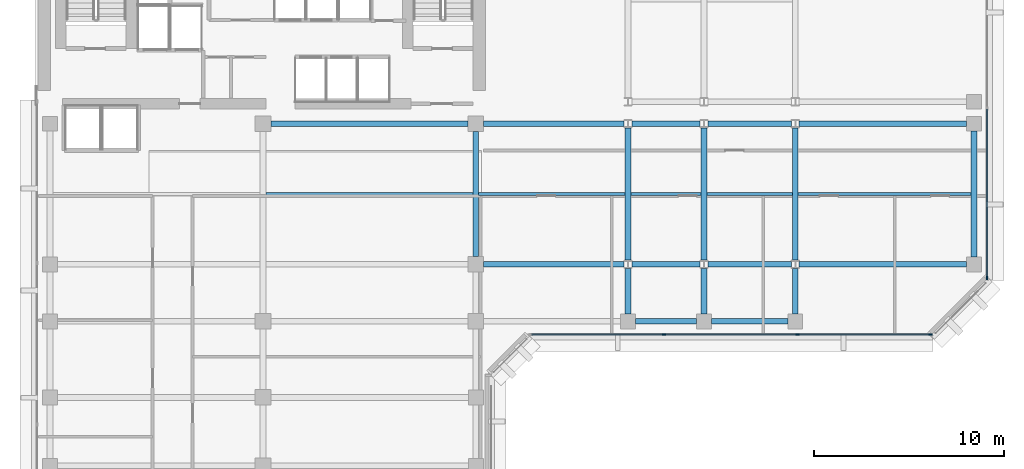
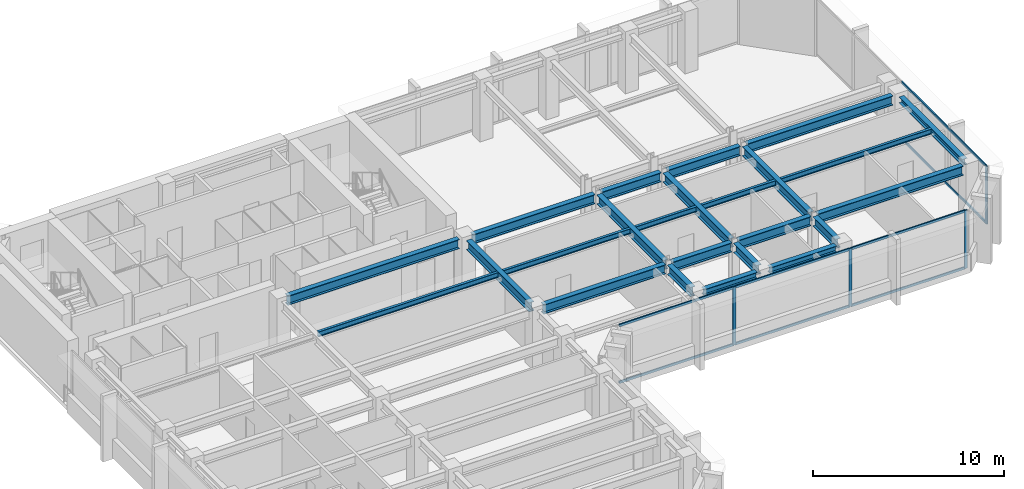
# One storey, part 3 of 11: 24 beams, 12 members, 2 elements without a shape of their own.
"""IFC4 building model written with IfcOpenShell, lengths in metres."""

from ifc_helpers import new_model, si_unit, direction, frame, origin, origin_2d, place, context, subcontext, project, spatial, rectangle, i_section, extrude, material, layer, layer_set, material_profile, profile_set, type_object, element, aggregate, save


model = new_model("IFC4")

# Units and contexts
model_context = context("Model", 3, precision=1e-05, world=origin(), true_north=direction((0.0, 1.0)))
body_context = subcontext(model_context, "Body", "Model", "MODEL_VIEW")
ifc_project = project(units=[si_unit("LENGTHUNIT", "METRE"), si_unit("AREAUNIT", "SQUARE_METRE"), si_unit("VOLUMEUNIT", "CUBIC_METRE"), si_unit("PLANEANGLEUNIT", "RADIAN"), si_unit("MASSUNIT", "GRAM", prefix="KILO")], contexts=[model_context])

# Site, building, storey
site_placement = place(None, origin())
site = spatial("IfcSite", under=ifc_project, at=site_placement, CompositionType="ELEMENT")
building_placement = place(site_placement, origin())
building = spatial("IfcBuilding", under=site, at=building_placement, Name="Kefirva Bronze Tower", CompositionType="ELEMENT")
storey_placement = place(building_placement, frame((0.0, 0.0, 191.39990234375)))
storey = spatial("IfcBuildingStorey", under=building, at=storey_placement, Name="L46", CompositionType="ELEMENT", Elevation=191.39990234375)

# Curtain wall, members
ifc_material_1 = material(Name="Bronze anodised aluminium", Category="aluminium")
ifc_layer = layer(ifc_material_1, 0.179931640625, Name="Bronze anodised aluminium")
ifc_layer_set = layer_set([ifc_layer], Name="Bronze anodised aluminium")
curtain_wall_type = type_object("IfcCurtainWallType", Name="Unitised Bronze Ribbon Curtain Wall Zone 3", PredefinedType="USERDEFINED", material=ifc_layer_set)
curtain_wall_1_placement = place(storey_placement, origin())
curtain_wall_1 = element("IfcCurtainWall", 1, at=curtain_wall_1_placement, inside=storey, type_object=curtain_wall_type, Name="L46 Curtain Wall 1", ObjectType="UNITISED CURTAIN WALL", PredefinedType="USERDEFINED")
ifc_material_profile_1 = material_profile(ifc_material_1, rectangle(XDim=0.074951171875, YDim=0.179931640625, at=origin_2d()), Name="ALU 75x180")
ifc_profile_set_1 = profile_set([ifc_material_profile_1], Name="Bronze anodised aluminium")
member_type_1 = type_object("IfcMemberType", Name="Bronze Mullion 75x180", PredefinedType="MULLION", material=ifc_profile_set_1)
member_1_placement = place(storey_placement, frame((33.0849609375, 22.1201171875, 0.0), z_axis=(0.0, 0.0, 1.0), x_axis=(0.0, 1.0, 0.0)))
member_1 = element("IfcMember", 2, at=member_1_placement, type_object=member_type_1, Name="CW-03 mullion 2", PredefinedType="MULLION", context=body_context, shape_type="SweptSolid", body=[
    extrude(rectangle(XDim=0.074951171875, YDim=0.179931640625, at=origin_2d()), origin(), (0.0, 0.0, 1.0), 3.710205078125),
])
member_2_placement = place(storey_placement, frame((40.114990234375, 22.1201171875, 0.0), z_axis=(0.0, 0.0, 1.0), x_axis=(0.0, 1.0, 0.0)))
member_2 = element("IfcMember", 3, at=member_2_placement, type_object=member_type_1, Name="CW-03 mullion 3", PredefinedType="MULLION", context=body_context, shape_type="SweptSolid", body=[
    extrude(rectangle(XDim=0.074951171875, YDim=0.179931640625, at=origin_2d()), origin(), (0.0, 0.0, 1.0), 3.710205078125),
])
member_3_placement = place(storey_placement, frame((47.107421875, 22.1201171875, 0.0), z_axis=(0.0, 0.0, 1.0), x_axis=(0.0, 1.0, 0.0)))
member_3 = element("IfcMember", 4, at=member_3_placement, type_object=member_type_1, Name="CW-03 mullion 4", PredefinedType="MULLION", context=body_context, shape_type="SweptSolid", body=[
    extrude(rectangle(XDim=0.074951171875, YDim=0.179931640625, at=origin_2d()), origin(), (0.0, 0.0, 1.0), 3.710205078125),
])

# Curtain wall, member
curtain_wall_2_placement = place(storey_placement, origin())
curtain_wall_2 = element("IfcCurtainWall", 5, at=curtain_wall_2_placement, inside=storey, type_object=curtain_wall_type, Name="L46 Curtain Wall 2", ObjectType="UNITISED CURTAIN WALL", PredefinedType="USERDEFINED")
member_4_placement = place(storey_placement, frame((50.080078125, 25.092529296875, 0.0), z_axis=(0.0, 0.0, 1.0), x_axis=(-1.0, 0.0, 0.0)))
member_4 = element("IfcMember", 6, at=member_4_placement, type_object=member_type_1, Name="CW-03 mullion 1", PredefinedType="MULLION", context=body_context, shape_type="SweptSolid", body=[
    extrude(rectangle(XDim=0.074951171875, YDim=0.179931640625, at=origin_2d()), origin(), (0.0, 0.0, 1.0), 3.710205078125),
])

# Member
ifc_material_profile_2 = material_profile(ifc_material_1, rectangle(XDim=0.074951171875, YDim=0.14990234375, at=origin_2d()), Name="ALU 75x150")
ifc_profile_set_2 = profile_set([ifc_material_profile_2], Name="Bronze anodised aluminium")
member_type_2 = type_object("IfcMemberType", Name="Bronze Transom 75x150", PredefinedType="USERDEFINED", material=ifc_profile_set_2)
member_5_placement = place(storey_placement, frame((26.1298828125, 22.1201171875, 0.03759765625), z_axis=(1.0, 0.0, 0.0), x_axis=(0.0, 1.0, 0.0)))
member_5 = element("IfcMember", 7, at=member_5_placement, type_object=member_type_2, Name="CW-03 transom 1.1", ObjectType="TRANSOM", PredefinedType="USERDEFINED", context=body_context, shape_type="SweptSolid", body=[
    extrude(rectangle(XDim=0.074951171875, YDim=0.14990234375, at=origin_2d()), origin(), (0.0, 0.0, 1.0), 6.917724609375),
])

member_6_placement = place(storey_placement, frame((26.1298828125, 22.1201171875, 3.672607421875), z_axis=(1.0, 0.0, 0.0), x_axis=(0.0, 1.0, 0.0)))
member_6 = element("IfcMember", 8, at=member_6_placement, type_object=member_type_2, Name="CW-03 transom 1.2", ObjectType="TRANSOM", PredefinedType="USERDEFINED", context=body_context, shape_type="SweptSolid", body=[
    extrude(rectangle(XDim=0.074951171875, YDim=0.14990234375, at=origin_2d()), origin(), (0.0, 0.0, 1.0), 6.917724609375),
])

member_7_placement = place(storey_placement, frame((33.12255859375, 22.1201171875, 0.03759765625), z_axis=(1.0, 0.0, 0.0), x_axis=(0.0, 1.0, 0.0)))
member_7 = element("IfcMember", 9, at=member_7_placement, type_object=member_type_2, Name="CW-03 transom 2.1", ObjectType="TRANSOM", PredefinedType="USERDEFINED", context=body_context, shape_type="SweptSolid", body=[
    extrude(rectangle(XDim=0.074951171875, YDim=0.14990234375, at=origin_2d()), origin(), (0.0, 0.0, 1.0), 6.954833984375),
])

member_8_placement = place(storey_placement, frame((33.12255859375, 22.1201171875, 3.672607421875), z_axis=(1.0, 0.0, 0.0), x_axis=(0.0, 1.0, 0.0)))
member_8 = element("IfcMember", 10, at=member_8_placement, type_object=member_type_2, Name="CW-03 transom 2.2", ObjectType="TRANSOM", PredefinedType="USERDEFINED", context=body_context, shape_type="SweptSolid", body=[
    extrude(rectangle(XDim=0.074951171875, YDim=0.14990234375, at=origin_2d()), origin(), (0.0, 0.0, 1.0), 6.954833984375),
])

member_9_placement = place(storey_placement, frame((40.152587890625, 22.1201171875, 0.03759765625), z_axis=(1.0, 0.0, 0.0), x_axis=(0.0, 1.0, 0.0)))
member_9 = element("IfcMember", 11, at=member_9_placement, type_object=member_type_2, Name="CW-03 transom 3.1", ObjectType="TRANSOM", PredefinedType="USERDEFINED", context=body_context, shape_type="SweptSolid", body=[
    extrude(rectangle(XDim=0.074951171875, YDim=0.14990234375, at=origin_2d()), origin(), (0.0, 0.0, 1.0), 6.91748046875),
])

member_10_placement = place(storey_placement, frame((40.152587890625, 22.1201171875, 3.672607421875), z_axis=(1.0, 0.0, 0.0), x_axis=(0.0, 1.0, 0.0)))
member_10 = element("IfcMember", 12, at=member_10_placement, type_object=member_type_2, Name="CW-03 transom 3.2", ObjectType="TRANSOM", PredefinedType="USERDEFINED", context=body_context, shape_type="SweptSolid", body=[
    extrude(rectangle(XDim=0.074951171875, YDim=0.14990234375, at=origin_2d()), origin(), (0.0, 0.0, 1.0), 6.91748046875),
])

aggregate(curtain_wall_1, [member_1, member_2, member_3, member_5, member_6, member_7, member_8, member_9, member_10])

member_11_placement = place(storey_placement, frame((50.080078125, 25.1298828125, 0.03759765625), z_axis=(0.0, 1.0, 0.0), x_axis=(-1.0, 0.0, 0.0)))
member_11 = element("IfcMember", 13, at=member_11_placement, type_object=member_type_2, Name="CW-03 transom 1.1", ObjectType="TRANSOM", PredefinedType="USERDEFINED", context=body_context, shape_type="SweptSolid", body=[
    extrude(rectangle(XDim=0.074951171875, YDim=0.14990234375, at=origin_2d()), origin(), (0.0, 0.0, 1.0), 8.83251953125),
])

member_12_placement = place(storey_placement, frame((50.080078125, 25.1298828125, 3.672607421875), z_axis=(0.0, 1.0, 0.0), x_axis=(-1.0, 0.0, 0.0)))
member_12 = element("IfcMember", 14, at=member_12_placement, type_object=member_type_2, Name="CW-03 transom 1.2", ObjectType="TRANSOM", PredefinedType="USERDEFINED", context=body_context, shape_type="SweptSolid", body=[
    extrude(rectangle(XDim=0.074951171875, YDim=0.14990234375, at=origin_2d()), origin(), (0.0, 0.0, 1.0), 8.83251953125),
])

aggregate(curtain_wall_2, [member_4, member_11, member_12])

# Beams
ifc_material_2 = material(Name="Steel S355", Category="steel")
ifc_material_profile_3 = material_profile(ifc_material_2, i_section(OverallWidth=0.159912109375, OverallDepth=0.330078125, WebThickness=0.007568359375, FlangeThickness=0.011474609375, at=origin_2d()), Name="IPE 330")
ifc_profile_set_3 = profile_set([ifc_material_profile_3], Name="Steel S355")
beam_type_1 = type_object("IfcBeamType", Name="Steel Floor Joist IPE 330", PredefinedType="JOIST", material=ifc_profile_set_3)
beam_1_placement = place(storey_placement, frame((12.14990234375, 29.5, 3.545166015625), z_axis=(1.0, 0.0, 0.0), x_axis=(0.0, 1.0, 0.0)))
element("IfcBeam", 15, at=beam_1_placement, inside=storey, type_object=beam_type_1, Name="L46 JST-L46-12-295", PredefinedType="JOIST", context=body_context, shape_type="SweptSolid", body=[
    extrude(i_section(OverallWidth=0.159912109375, OverallDepth=0.330078125, WebThickness=0.007568359375, FlangeThickness=0.011474609375, at=origin_2d()), origin(), (0.0, 0.0, 1.0), 10.900146484375),
])
beam_2_placement = place(storey_placement, frame((23.35009765625, 29.5, 3.545166015625), z_axis=(1.0, 0.0, 0.0), x_axis=(0.0, 1.0, 0.0)))
element("IfcBeam", 16, at=beam_2_placement, inside=storey, type_object=beam_type_1, Name="L46 JST-L46-23-295", PredefinedType="JOIST", context=body_context, shape_type="SweptSolid", body=[
    extrude(i_section(OverallWidth=0.159912109375, OverallDepth=0.330078125, WebThickness=0.007568359375, FlangeThickness=0.011474609375, at=origin_2d()), origin(), (0.0, 0.0, 1.0), 7.699951171875),
])
beam_3_placement = place(storey_placement, frame((31.35009765625, 29.5, 3.545166015625), z_axis=(1.0, 0.0, 0.0), x_axis=(0.0, 1.0, 0.0)))
element("IfcBeam", 17, at=beam_3_placement, inside=storey, type_object=beam_type_1, Name="L46 JST-L46-31-295", PredefinedType="JOIST", context=body_context, shape_type="SweptSolid", body=[
    extrude(i_section(OverallWidth=0.159912109375, OverallDepth=0.330078125, WebThickness=0.007568359375, FlangeThickness=0.011474609375, at=origin_2d()), origin(), (0.0, 0.0, 1.0), 3.699951171875),
])
beam_4_placement = place(storey_placement, frame((35.35009765625, 29.5, 3.545166015625), z_axis=(1.0, 0.0, 0.0), x_axis=(0.0, 1.0, 0.0)))
element("IfcBeam", 18, at=beam_4_placement, inside=storey, type_object=beam_type_1, Name="L46 JST-L46-35-295", PredefinedType="JOIST", context=body_context, shape_type="SweptSolid", body=[
    extrude(i_section(OverallWidth=0.159912109375, OverallDepth=0.330078125, WebThickness=0.007568359375, FlangeThickness=0.011474609375, at=origin_2d()), origin(), (0.0, 0.0, 1.0), 4.5),
])
beam_5_placement = place(storey_placement, frame((40.14990234375, 29.5, 3.545166015625), z_axis=(1.0, 0.0, 0.0), x_axis=(0.0, 1.0, 0.0)))
element("IfcBeam", 19, at=beam_5_placement, inside=storey, type_object=beam_type_1, Name="L46 JST-L46-40-295", PredefinedType="JOIST", context=body_context, shape_type="SweptSolid", body=[
    extrude(i_section(OverallWidth=0.159912109375, OverallDepth=0.330078125, WebThickness=0.007568359375, FlangeThickness=0.011474609375, at=origin_2d()), origin(), (0.0, 0.0, 1.0), 9.10009765625),
])
ifc_material_profile_4 = material_profile(ifc_material_2, i_section(OverallWidth=0.300048828125, OverallDepth=0.60009765625, WebThickness=0.015380859375, FlangeThickness=0.030029296875, at=origin_2d()), Name="HEB 600")
ifc_profile_set_4 = profile_set([ifc_material_profile_4], Name="Steel S355")
beam_type_2 = type_object("IfcBeamType", Name="Steel Girder HEB 600", PredefinedType="USERDEFINED", material=ifc_profile_set_4)
beam_6_placement = place(storey_placement, frame((23.610107421875, 25.800048828125, 3.41015625), z_axis=(1.0, 0.0, 0.0), x_axis=(0.0, 1.0, 0.0)))
element("IfcBeam", 20, at=beam_6_placement, inside=storey, type_object=beam_type_2, Name="L46 BM-L46-EW-23-258", ObjectType="GIRDER", PredefinedType="USERDEFINED", context=body_context, shape_type="SweptSolid", body=[
    extrude(i_section(OverallWidth=0.300048828125, OverallDepth=0.60009765625, WebThickness=0.015380859375, FlangeThickness=0.030029296875, at=origin_2d()), origin(), (0.0, 0.0, 1.0), 7.3837890625),
])
beam_7_placement = place(storey_placement, frame((31.406005859375, 25.800048828125, 3.41015625), z_axis=(1.0, 0.0, 0.0), x_axis=(0.0, 1.0, 0.0)))
element("IfcBeam", 21, at=beam_7_placement, inside=storey, type_object=beam_type_2, Name="L46 BM-L46-EW-31-258", ObjectType="GIRDER", PredefinedType="USERDEFINED", context=body_context, shape_type="SweptSolid", body=[
    extrude(i_section(OverallWidth=0.300048828125, OverallDepth=0.60009765625, WebThickness=0.015380859375, FlangeThickness=0.030029296875, at=origin_2d()), origin(), (0.0, 0.0, 1.0), 3.587890625),
])
beam_8_placement = place(storey_placement, frame((35.406005859375, 25.800048828125, 3.41015625), z_axis=(1.0, 0.0, 0.0), x_axis=(0.0, 1.0, 0.0)))
element("IfcBeam", 22, at=beam_8_placement, inside=storey, type_object=beam_type_2, Name="L46 BM-L46-EW-35-258", ObjectType="GIRDER", PredefinedType="USERDEFINED", context=body_context, shape_type="SweptSolid", body=[
    extrude(i_section(OverallWidth=0.300048828125, OverallDepth=0.60009765625, WebThickness=0.015380859375, FlangeThickness=0.030029296875, at=origin_2d()), origin(), (0.0, 0.0, 1.0), 4.387939453125),
])
beam_9_placement = place(storey_placement, frame((40.2060546875, 25.800048828125, 3.41015625), z_axis=(1.0, 0.0, 0.0), x_axis=(0.0, 1.0, 0.0)))
element("IfcBeam", 23, at=beam_9_placement, inside=storey, type_object=beam_type_2, Name="L46 BM-L46-EW-40-258", ObjectType="GIRDER", PredefinedType="USERDEFINED", context=body_context, shape_type="SweptSolid", body=[
    extrude(i_section(OverallWidth=0.300048828125, OverallDepth=0.60009765625, WebThickness=0.015380859375, FlangeThickness=0.030029296875, at=origin_2d()), origin(), (0.0, 0.0, 1.0), 8.803955078125),
])
beam_10_placement = place(storey_placement, frame((12.409912109375, 33.199951171875, 3.41015625), z_axis=(1.0, 0.0, 0.0), x_axis=(0.0, 1.0, 0.0)))
element("IfcBeam", 24, at=beam_10_placement, inside=storey, type_object=beam_type_2, Name="L46 BM-L46-EW-12-332", ObjectType="GIRDER", PredefinedType="USERDEFINED", context=body_context, shape_type="SweptSolid", body=[
    extrude(i_section(OverallWidth=0.300048828125, OverallDepth=0.60009765625, WebThickness=0.015380859375, FlangeThickness=0.030029296875, at=origin_2d()), origin(), (0.0, 0.0, 1.0), 10.380126953125),
])
beam_11_placement = place(storey_placement, frame((23.610107421875, 33.199951171875, 3.41015625), z_axis=(1.0, 0.0, 0.0), x_axis=(0.0, 1.0, 0.0)))
element("IfcBeam", 25, at=beam_11_placement, inside=storey, type_object=beam_type_2, Name="L46 BM-L46-EW-23-332", ObjectType="GIRDER", PredefinedType="USERDEFINED", context=body_context, shape_type="SweptSolid", body=[
    extrude(i_section(OverallWidth=0.300048828125, OverallDepth=0.60009765625, WebThickness=0.015380859375, FlangeThickness=0.030029296875, at=origin_2d()), origin(), (0.0, 0.0, 1.0), 7.3837890625),
])
beam_12_placement = place(storey_placement, frame((31.406005859375, 33.199951171875, 3.41015625), z_axis=(1.0, 0.0, 0.0), x_axis=(0.0, 1.0, 0.0)))
element("IfcBeam", 26, at=beam_12_placement, inside=storey, type_object=beam_type_2, Name="L46 BM-L46-EW-31-332", ObjectType="GIRDER", PredefinedType="USERDEFINED", context=body_context, shape_type="SweptSolid", body=[
    extrude(i_section(OverallWidth=0.300048828125, OverallDepth=0.60009765625, WebThickness=0.015380859375, FlangeThickness=0.030029296875, at=origin_2d()), origin(), (0.0, 0.0, 1.0), 3.587890625),
])
beam_13_placement = place(storey_placement, frame((35.406005859375, 33.199951171875, 3.41015625), z_axis=(1.0, 0.0, 0.0), x_axis=(0.0, 1.0, 0.0)))
element("IfcBeam", 27, at=beam_13_placement, inside=storey, type_object=beam_type_2, Name="L46 BM-L46-EW-35-332", ObjectType="GIRDER", PredefinedType="USERDEFINED", context=body_context, shape_type="SweptSolid", body=[
    extrude(i_section(OverallWidth=0.300048828125, OverallDepth=0.60009765625, WebThickness=0.015380859375, FlangeThickness=0.030029296875, at=origin_2d()), origin(), (0.0, 0.0, 1.0), 4.387939453125),
])
beam_14_placement = place(storey_placement, frame((40.2060546875, 33.199951171875, 3.41015625), z_axis=(1.0, 0.0, 0.0), x_axis=(0.0, 1.0, 0.0)))
element("IfcBeam", 28, at=beam_14_placement, inside=storey, type_object=beam_type_2, Name="L46 BM-L46-EW-40-332", ObjectType="GIRDER", PredefinedType="USERDEFINED", context=body_context, shape_type="SweptSolid", body=[
    extrude(i_section(OverallWidth=0.300048828125, OverallDepth=0.60009765625, WebThickness=0.015380859375, FlangeThickness=0.030029296875, at=origin_2d()), origin(), (0.0, 0.0, 1.0), 8.803955078125),
])
beam_15_placement = place(storey_placement, frame((23.199951171875, 26.2099609375, 3.41015625), z_axis=(0.0, 1.0, 0.0), x_axis=(-1.0, 0.0, 0.0)))
element("IfcBeam", 29, at=beam_15_placement, inside=storey, type_object=beam_type_2, Name="L46 BM-L46-NS-232-25", ObjectType="GIRDER", PredefinedType="USERDEFINED", context=body_context, shape_type="SweptSolid", body=[
    extrude(i_section(OverallWidth=0.300048828125, OverallDepth=0.60009765625, WebThickness=0.015380859375, FlangeThickness=0.030029296875, at=origin_2d()), origin(), (0.0, 0.0, 1.0), 6.580078125),
])
beam_16_placement = place(storey_placement, frame((31.199951171875, 23.18994140625, 3.41015625), z_axis=(0.0, 1.0, 0.0), x_axis=(-1.0, 0.0, 0.0)))
element("IfcBeam", 30, at=beam_16_placement, inside=storey, type_object=beam_type_2, Name="L46 BM-L46-NS-312-22", ObjectType="GIRDER", PredefinedType="USERDEFINED", context=body_context, shape_type="SweptSolid", body=[
    extrude(i_section(OverallWidth=0.300048828125, OverallDepth=0.60009765625, WebThickness=0.015380859375, FlangeThickness=0.030029296875, at=origin_2d()), origin(), (0.0, 0.0, 1.0), 2.392578125),
])
beam_17_placement = place(storey_placement, frame((31.199951171875, 26.017578125, 3.41015625), z_axis=(0.0, 1.0, 0.0), x_axis=(-1.0, 0.0, 0.0)))
element("IfcBeam", 31, at=beam_17_placement, inside=storey, type_object=beam_type_2, Name="L46 BM-L46-NS-312-25", ObjectType="GIRDER", PredefinedType="USERDEFINED", context=body_context, shape_type="SweptSolid", body=[
    extrude(i_section(OverallWidth=0.300048828125, OverallDepth=0.60009765625, WebThickness=0.015380859375, FlangeThickness=0.030029296875, at=origin_2d()), origin(), (0.0, 0.0, 1.0), 6.96484375),
])
beam_18_placement = place(storey_placement, frame((35.199951171875, 23.18994140625, 3.41015625), z_axis=(0.0, 1.0, 0.0), x_axis=(-1.0, 0.0, 0.0)))
element("IfcBeam", 32, at=beam_18_placement, inside=storey, type_object=beam_type_2, Name="L46 BM-L46-NS-352-22", ObjectType="GIRDER", PredefinedType="USERDEFINED", context=body_context, shape_type="SweptSolid", body=[
    extrude(i_section(OverallWidth=0.300048828125, OverallDepth=0.60009765625, WebThickness=0.015380859375, FlangeThickness=0.030029296875, at=origin_2d()), origin(), (0.0, 0.0, 1.0), 2.392578125),
])
beam_19_placement = place(storey_placement, frame((35.199951171875, 26.017578125, 3.41015625), z_axis=(0.0, 1.0, 0.0), x_axis=(-1.0, 0.0, 0.0)))
element("IfcBeam", 33, at=beam_19_placement, inside=storey, type_object=beam_type_2, Name="L46 BM-L46-NS-352-25", ObjectType="GIRDER", PredefinedType="USERDEFINED", context=body_context, shape_type="SweptSolid", body=[
    extrude(i_section(OverallWidth=0.300048828125, OverallDepth=0.60009765625, WebThickness=0.015380859375, FlangeThickness=0.030029296875, at=origin_2d()), origin(), (0.0, 0.0, 1.0), 6.96484375),
])
beam_20_placement = place(storey_placement, frame((40.0, 23.18994140625, 3.41015625), z_axis=(0.0, 1.0, 0.0), x_axis=(-1.0, 0.0, 0.0)))
element("IfcBeam", 34, at=beam_20_placement, inside=storey, type_object=beam_type_2, Name="L46 BM-L46-NS-400-22", ObjectType="GIRDER", PredefinedType="USERDEFINED", context=body_context, shape_type="SweptSolid", body=[
    extrude(i_section(OverallWidth=0.300048828125, OverallDepth=0.60009765625, WebThickness=0.015380859375, FlangeThickness=0.030029296875, at=origin_2d()), origin(), (0.0, 0.0, 1.0), 2.392578125),
])
beam_21_placement = place(storey_placement, frame((40.0, 26.017578125, 3.41015625), z_axis=(0.0, 1.0, 0.0), x_axis=(-1.0, 0.0, 0.0)))
element("IfcBeam", 35, at=beam_21_placement, inside=storey, type_object=beam_type_2, Name="L46 BM-L46-NS-400-25", ObjectType="GIRDER", PredefinedType="USERDEFINED", context=body_context, shape_type="SweptSolid", body=[
    extrude(i_section(OverallWidth=0.300048828125, OverallDepth=0.60009765625, WebThickness=0.015380859375, FlangeThickness=0.030029296875, at=origin_2d()), origin(), (0.0, 0.0, 1.0), 6.96484375),
])
ifc_material_profile_5 = material_profile(ifc_material_2, i_section(OverallWidth=0.300048828125, OverallDepth=0.39990234375, WebThickness=0.013427734375, FlangeThickness=0.02392578125, at=origin_2d()), Name="HEB 400")
ifc_profile_set_5 = profile_set([ifc_material_profile_5], Name="Steel S355")
beam_type_3 = type_object("IfcBeamType", Name="Steel Spandrel HEB 400 Ext", PredefinedType="SPANDREL", material=ifc_profile_set_5)
beam_22_placement = place(storey_placement, frame((31.590087890625, 22.800048828125, 3.510009765625), z_axis=(1.0, 0.0, 0.0), x_axis=(0.0, 1.0, 0.0)))
element("IfcBeam", 36, at=beam_22_placement, inside=storey, type_object=beam_type_3, Name="L46 BM-L46-EW-31-228", PredefinedType="SPANDREL", context=body_context, shape_type="SweptSolid", body=[
    extrude(i_section(OverallWidth=0.300048828125, OverallDepth=0.39990234375, WebThickness=0.013427734375, FlangeThickness=0.02392578125, at=origin_2d()), origin(), (0.0, 0.0, 1.0), 3.219970703125),
])
beam_23_placement = place(storey_placement, frame((35.590087890625, 22.800048828125, 3.510009765625), z_axis=(1.0, 0.0, 0.0), x_axis=(0.0, 1.0, 0.0)))
element("IfcBeam", 37, at=beam_23_placement, inside=storey, type_object=beam_type_3, Name="L46 BM-L46-EW-35-228", PredefinedType="SPANDREL", context=body_context, shape_type="SweptSolid", body=[
    extrude(i_section(OverallWidth=0.300048828125, OverallDepth=0.39990234375, WebThickness=0.013427734375, FlangeThickness=0.02392578125, at=origin_2d()), origin(), (0.0, 0.0, 1.0), 4.02001953125),
])
beam_24_placement = place(storey_placement, frame((49.39990234375, 26.18994140625, 3.510009765625), z_axis=(0.0, 1.0, 0.0), x_axis=(-1.0, 0.0, 0.0)))
element("IfcBeam", 38, at=beam_24_placement, inside=storey, type_object=beam_type_3, Name="L46 BM-L46-NS-494-25", PredefinedType="SPANDREL", context=body_context, shape_type="SweptSolid", body=[
    extrude(i_section(OverallWidth=0.300048828125, OverallDepth=0.39990234375, WebThickness=0.013427734375, FlangeThickness=0.02392578125, at=origin_2d()), origin(), (0.0, 0.0, 1.0), 6.6201171875),
])

save(model, "model.ifc")
